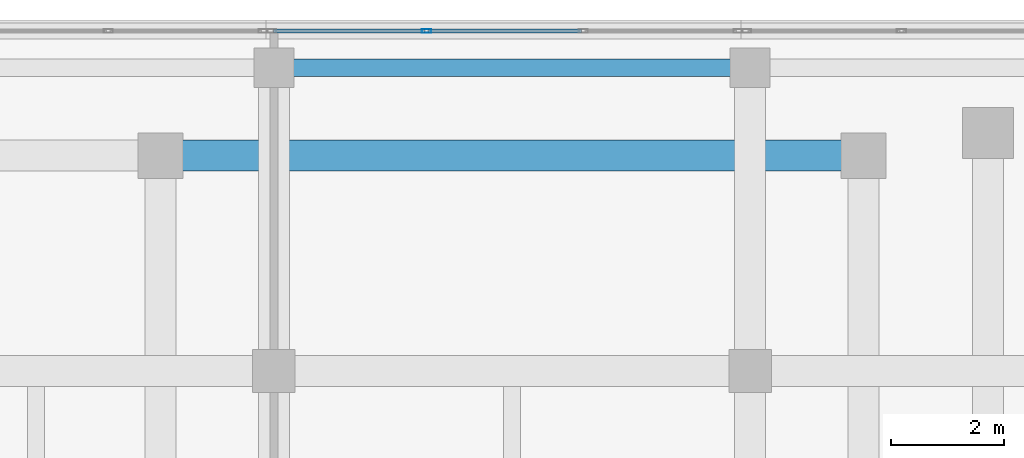
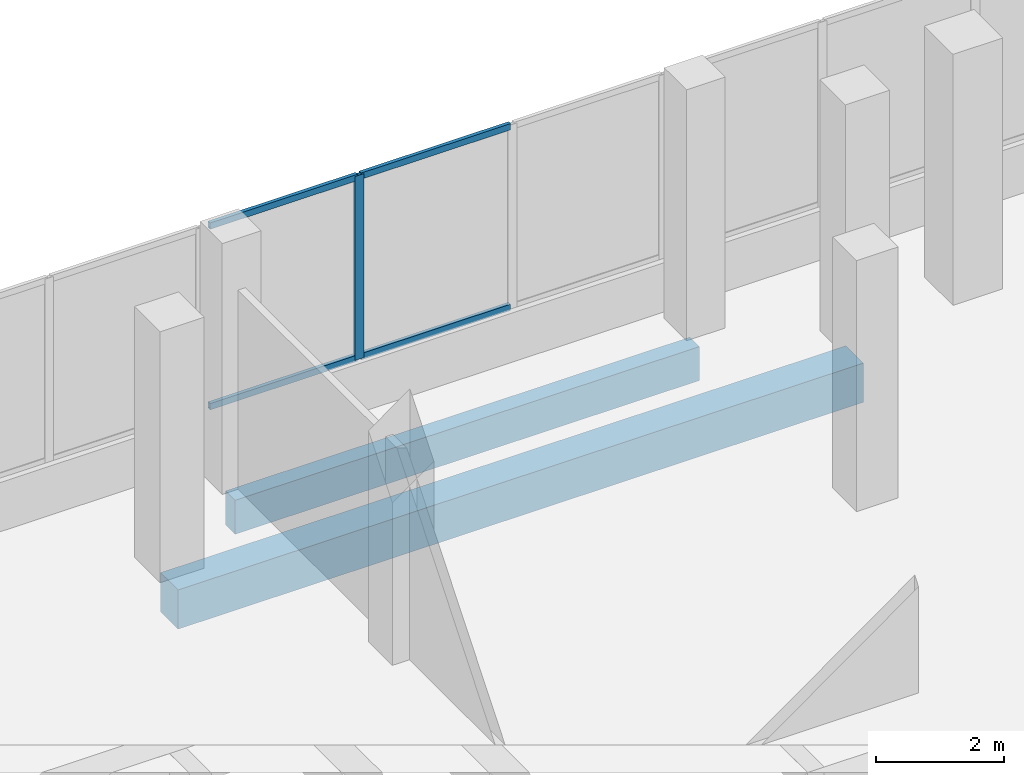
# One storey, part 75 of 155: 5 members, 2 beams, 1 element without a shape of its own.
"""IFC4 building model written with IfcOpenShell, lengths in metres."""

from ifc_helpers import new_model, si_unit, direction, frame, origin, origin_2d, place, context, subcontext, project, spatial, rectangle, hollow_rectangle, extrude, material, material_profile, profile_set, type_object, element, aggregate, save


model = new_model("IFC4")

# Units and contexts
model_context = context("Model", 3, precision=1e-05, world=origin(), true_north=direction((0.0, 1.0)))
body_context = subcontext(model_context, "Body", "Model", "MODEL_VIEW")
ifc_project = project(units=[si_unit("LENGTHUNIT", "METRE"), si_unit("AREAUNIT", "SQUARE_METRE"), si_unit("VOLUMEUNIT", "CUBIC_METRE"), si_unit("PLANEANGLEUNIT", "RADIAN"), si_unit("MASSUNIT", "GRAM", prefix="KILO")], contexts=[model_context])

# Site, building, storey
site_placement = place(None, origin())
site = spatial("IfcSite", under=ifc_project, at=site_placement, CompositionType="ELEMENT")
building_placement = place(site_placement, origin())
building = spatial("IfcBuilding", under=site, at=building_placement, Name="Selatvlak General Hospital", CompositionType="ELEMENT")
storey_placement = place(building_placement, frame((0.0, 0.0, 10.199951171875)))
storey = spatial("IfcBuildingStorey", under=building, at=storey_placement, Name="L02", CompositionType="ELEMENT", Elevation=10.199951171875)

# Beams
ifc_material_1 = material(Name="Concrete C40/50", Category="concrete")
ifc_material_profile_1 = material_profile(ifc_material_1, rectangle(XDim=0.550048828125, YDim=0.75, at=origin_2d()), Name="RC-BM 550x750")
ifc_profile_set_1 = profile_set([ifc_material_profile_1], Name="Concrete C40/50")
beam_type_1 = type_object("IfcBeamType", Name="BM-G02", PredefinedType="BEAM", material=ifc_profile_set_1)
beam_1_placement = place(storey_placement, frame((71.199951171875, 117.800048828125, -0.72998046875), z_axis=(1.0, 0.0, 0.0), x_axis=(0.0, 1.0, 0.0)))
element("IfcBeam", 1, at=beam_1_placement, inside=storey, type_object=beam_type_1, Name="Beam BMR-L02-0909", PredefinedType="BEAM", context=body_context, shape_type="SweptSolid", body=[
    extrude(rectangle(XDim=0.550048828125, YDim=0.75, at=origin_2d()), origin(), (0.0, 0.0, 1.0), 12.400146484375),
])
ifc_material_profile_2 = material_profile(ifc_material_1, rectangle(XDim=0.300048828125, YDim=0.64990234375, at=origin_2d()), Name="RC-SP 300x650")
ifc_profile_set_2 = profile_set([ifc_material_profile_2], Name="Concrete C40/50")
beam_type_2 = type_object("IfcBeamType", Name="BM-SP1", PredefinedType="SPANDREL", material=ifc_profile_set_2)
beam_2_placement = place(storey_placement, frame((73.199951171875, 119.35009765625, -0.679931640625), z_axis=(1.0, 0.0, 0.0), x_axis=(0.0, 1.0, 0.0)))
element("IfcBeam", 2, at=beam_2_placement, inside=storey, type_object=beam_type_2, Name="Beam BMR-L02-0913", PredefinedType="SPANDREL", context=body_context, shape_type="SweptSolid", body=[
    extrude(rectangle(XDim=0.300048828125, YDim=0.64990234375, at=origin_2d()), origin(), (0.0, 0.0, 1.0), 8.400146484375),
])

# Curtain wall, members
ifc_material_2 = material(Name="Solar-control Low-E double glazing", Category="glass")
curtain_wall_type = type_object("IfcCurtainWallType", Name="CW-CW-01", PredefinedType="USERDEFINED", material=ifc_material_2)
curtain_wall_placement = place(storey_placement, origin())
curtain_wall = element("IfcCurtainWall", 3, at=curtain_wall_placement, inside=storey, type_object=curtain_wall_type, Name="Glazed facade curtain wall CW-L02-0250", ObjectType="UNITISED CURTAIN WALL", PredefinedType="USERDEFINED")
ifc_material_3 = material(Name="Dark anodised aluminium mullion", Category="aluminium")
ifc_material_profile_3 = material_profile(ifc_material_3, hollow_rectangle(XDim=0.06494140625, YDim=0.159912109375, WallThickness=0.00390625, at=origin_2d()), Name="AL-MUL 65x160x4")
ifc_profile_set_3 = profile_set([ifc_material_profile_3], Name="Dark anodised aluminium mullion")
member_type_1 = type_object("IfcMemberType", Name="CWM-01", PredefinedType="MULLION", material=ifc_profile_set_3)
member_1_placement = place(storey_placement, frame((75.8916015625, 119.9990234375, 0.93994140625), z_axis=(0.0, 0.0, 1.0), x_axis=(0.0, 1.0, 0.0)))
member_1 = element("IfcMember", 4, at=member_1_placement, type_object=member_type_1, Name="CW-01 mullion 2", PredefinedType="MULLION", context=body_context, shape_type="SweptSolid", body=[
    extrude(hollow_rectangle(XDim=0.06494140625, YDim=0.159912109375, WallThickness=0.00390625, at=origin_2d()), origin(), (0.0, 0.0, 1.0), 3.52001953125),
])
ifc_material_profile_4 = material_profile(ifc_material_3, hollow_rectangle(XDim=0.06494140625, YDim=0.1201171875, WallThickness=0.00390625, at=origin_2d()), Name="AL-TRN 65x120x4")
ifc_profile_set_4 = profile_set([ifc_material_profile_4], Name="Dark anodised aluminium mullion")
member_type_2 = type_object("IfcMemberType", Name="CWT-01", PredefinedType="USERDEFINED", material=ifc_profile_set_4)
member_2_placement = place(storey_placement, frame((73.18994140625, 119.9990234375, 0.97265625), z_axis=(1.0, 0.0, 0.0), x_axis=(0.0, 1.0, 0.0)))
member_2 = element("IfcMember", 5, at=member_2_placement, type_object=member_type_2, Name="CW-01 transom 1.1", ObjectType="TRANSOM", PredefinedType="USERDEFINED", context=body_context, shape_type="SweptSolid", body=[
    extrude(hollow_rectangle(XDim=0.06494140625, YDim=0.1201171875, WallThickness=0.00390625, at=origin_2d()), origin(), (0.0, 0.0, 1.0), 2.669189453125),
])
member_3_placement = place(storey_placement, frame((73.18994140625, 119.9990234375, 4.427490234375), z_axis=(1.0, 0.0, 0.0), x_axis=(0.0, 1.0, 0.0)))
member_3 = element("IfcMember", 6, at=member_3_placement, type_object=member_type_2, Name="CW-01 transom 1.2", ObjectType="TRANSOM", PredefinedType="USERDEFINED", context=body_context, shape_type="SweptSolid", body=[
    extrude(hollow_rectangle(XDim=0.06494140625, YDim=0.1201171875, WallThickness=0.00390625, at=origin_2d()), origin(), (0.0, 0.0, 1.0), 2.669189453125),
])
member_4_placement = place(storey_placement, frame((75.924072265625, 119.9990234375, 0.97265625), z_axis=(1.0, 0.0, 0.0), x_axis=(0.0, 1.0, 0.0)))
member_4 = element("IfcMember", 7, at=member_4_placement, type_object=member_type_2, Name="CW-01 transom 2.1", ObjectType="TRANSOM", PredefinedType="USERDEFINED", context=body_context, shape_type="SweptSolid", body=[
    extrude(hollow_rectangle(XDim=0.06494140625, YDim=0.1201171875, WallThickness=0.00390625, at=origin_2d()), origin(), (0.0, 0.0, 1.0), 2.70166015625),
])
member_5_placement = place(storey_placement, frame((75.924072265625, 119.9990234375, 4.427490234375), z_axis=(1.0, 0.0, 0.0), x_axis=(0.0, 1.0, 0.0)))
member_5 = element("IfcMember", 8, at=member_5_placement, type_object=member_type_2, Name="CW-01 transom 2.2", ObjectType="TRANSOM", PredefinedType="USERDEFINED", context=body_context, shape_type="SweptSolid", body=[
    extrude(hollow_rectangle(XDim=0.06494140625, YDim=0.1201171875, WallThickness=0.00390625, at=origin_2d()), origin(), (0.0, 0.0, 1.0), 2.70166015625),
])
aggregate(curtain_wall, [member_1, member_2, member_3, member_4, member_5])

save(model, "model.ifc")
